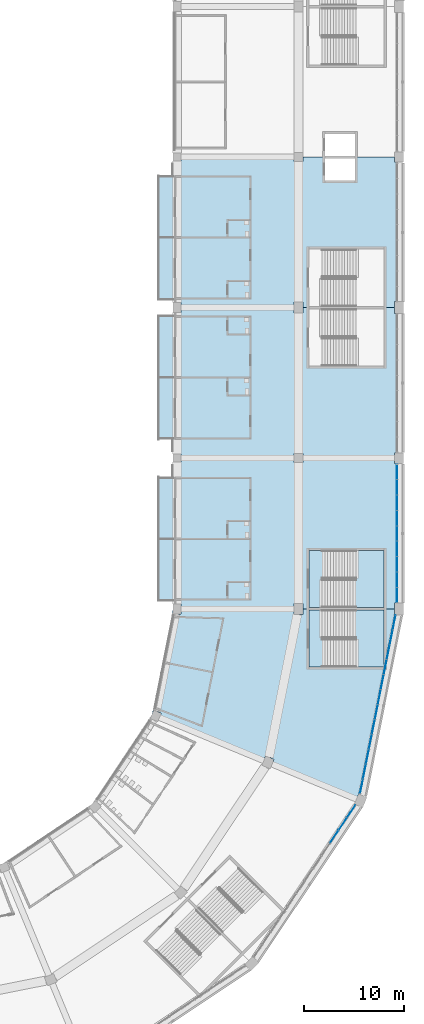
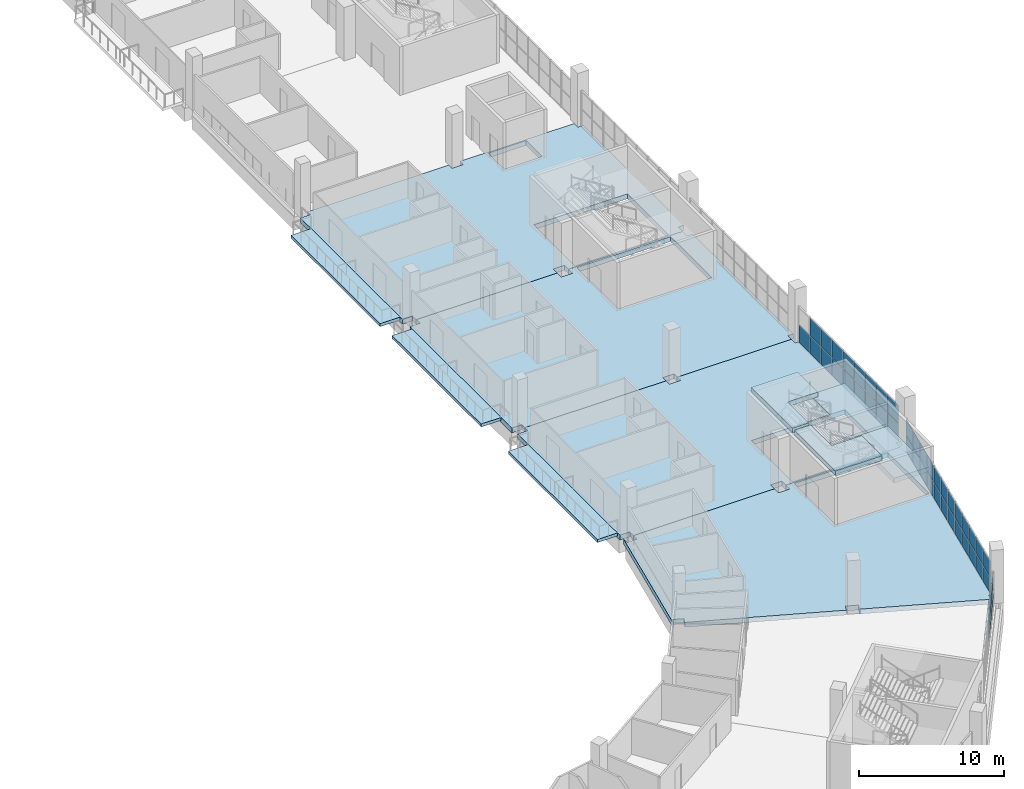
# One storey, part 63 of 199: 47 plates, 11 slabs, 5 elements without a shape of their own.
"""IFC4 building model written with IfcOpenShell, lengths in metres."""

from ifc_helpers import new_model, si_unit, direction, frame, origin, origin_2d, place, context, subcontext, project, spatial, polyline, rectangle, outline, extrude, material, layer, layer_set, type_object, element, aggregate, save


model = new_model("IFC4")

# Units and contexts
model_context = context("Model", 3, precision=1e-05, world=origin(), true_north=direction((0.0, 1.0)))
body_context = subcontext(model_context, "Body", "Model", "MODEL_VIEW")
ifc_project = project(units=[si_unit("LENGTHUNIT", "METRE"), si_unit("AREAUNIT", "SQUARE_METRE"), si_unit("VOLUMEUNIT", "CUBIC_METRE"), si_unit("PLANEANGLEUNIT", "RADIAN"), si_unit("MASSUNIT", "GRAM", prefix="KILO")], contexts=[model_context])

# Site, building, storey
site_placement = place(None, origin())
site = spatial("IfcSite", under=ifc_project, at=site_placement, CompositionType="ELEMENT")
building_placement = place(site_placement, origin())
building = spatial("IfcBuilding", under=site, at=building_placement, Name="Ogive Plaza Stadium", CompositionType="ELEMENT")
storey_placement = place(building_placement, frame((0.0, 0.0, 9.0)))
storey = spatial("IfcBuildingStorey", under=building, at=storey_placement, Name="L02", CompositionType="ELEMENT", Elevation=9.0)

# Slabs
ifc_material_1 = material(Name="Concrete C40/50", Category="concrete")
ifc_layer_1 = layer(ifc_material_1, 0.25)
ifc_layer_set_1 = layer_set([ifc_layer_1], Name="Concrete C40/50")
slab_type_1 = type_object("IfcSlabType", Name="Balcony slab 250", PredefinedType="FLOOR", material=ifc_layer_set_1)
slab_1_placement = place(storey_placement, frame((0.0, 0.0, -0.25)))
element("IfcSlab", 1, at=slab_1_placement, inside=storey, type_object=slab_type_1, Name="Suite terrace slab B05", PredefinedType="FLOOR", context=body_context, shape_type="SweptSolid", body=[
    extrude(outline(polyline([(59.89990234375, -21.675048828125), (61.5, -21.675048828125), (61.5, -9.375), (59.89990234375, -9.375), (59.89990234375, -21.675048828125)])), origin(), (0.0, 0.0, 1.0), 0.25),
])
slab_2_placement = place(storey_placement, frame((0.0, 0.0, -0.25)))
element("IfcSlab", 2, at=slab_2_placement, inside=storey, type_object=slab_type_1, Name="Suite terrace slab B06", PredefinedType="FLOOR", context=body_context, shape_type="SweptSolid", body=[
    extrude(outline(polyline([(59.89990234375, -35.625), (61.5, -35.625), (61.5, -23.324951171875), (59.89990234375, -23.324951171875), (59.89990234375, -35.625)])), origin(), (0.0, 0.0, 1.0), 0.25),
])
slab_3_placement = place(storey_placement, frame((0.0, 0.0, -0.25)))
element("IfcSlab", 3, at=slab_3_placement, inside=storey, type_object=slab_type_1, Name="Suite terrace slab B07", PredefinedType="FLOOR", context=body_context, shape_type="SweptSolid", body=[
    extrude(outline(polyline([(59.89990234375, -51.675048828125), (61.5, -51.675048828125), (61.5, -39.375), (59.89990234375, -39.375), (59.89990234375, -51.675048828125)])), origin(), (0.0, 0.0, 1.0), 0.25),
])

# Curtain wall, plates
ifc_material_2 = material(Name="Bronze-anodised aluminium with laminated glass", Category="aluminium")
curtain_wall_type = type_object("IfcCurtainWallType", Name="Lancet curtain wall", PredefinedType="NOTDEFINED", material=ifc_material_2)
curtain_wall_1_placement = place(storey_placement, origin())
curtain_wall_1 = element("IfcCurtainWall", 4, at=curtain_wall_1_placement, inside=storey, type_object=curtain_wall_type, Name="CURTAIN WALL B07 L02", PredefinedType="NOTDEFINED")
ifc_material_3 = material(Name="Laminated glass", Category="glass")
ifc_layer_2 = layer(ifc_material_3, 0.028076171875)
ifc_layer_set_2 = layer_set([ifc_layer_2], Name="Laminated glass panel 28")
plate_type = type_object("IfcPlateType", Name="Laminated glass panel 28", PredefinedType="CURTAIN_PANEL", material=ifc_layer_set_2)
plate_1_placement = place(storey_placement, frame((83.800048828125, -38.879150390625, 0.0498046875), z_axis=(0.0, 0.0, 1.0), x_axis=(0.0, -1.0, 0.0)))
plate_1 = element("IfcPlate", 5, at=plate_1_placement, type_object=plate_type, Name="CW-B07-L02 panel 1.1", PredefinedType="CURTAIN_PANEL", context=body_context, shape_type="SweptSolid", body=[
    extrude(rectangle(XDim=1.458251953125, YDim=0.028076171875, at=origin_2d()), origin(), (0.0, 0.0, 1.0), 1.469970703125),
])
plate_2_placement = place(storey_placement, frame((83.800048828125, -40.39990234375, 0.0498046875), z_axis=(0.0, 0.0, 1.0), x_axis=(0.0, -1.0, 0.0)))
plate_2 = element("IfcPlate", 6, at=plate_2_placement, type_object=plate_type, Name="CW-B07-L02 panel 2.1", PredefinedType="CURTAIN_PANEL", context=body_context, shape_type="SweptSolid", body=[
    extrude(rectangle(XDim=1.4833984375, YDim=0.028076171875, at=origin_2d()), origin(), (0.0, 0.0, 1.0), 1.469970703125),
])
plate_3_placement = place(storey_placement, frame((83.800048828125, -40.39990234375, 1.56982421875), z_axis=(0.0, 0.0, 1.0), x_axis=(0.0, -1.0, 0.0)))
plate_3 = element("IfcPlate", 7, at=plate_3_placement, type_object=plate_type, Name="CW-B07-L02 panel 2.2", PredefinedType="CURTAIN_PANEL", context=body_context, shape_type="SweptSolid", body=[
    extrude(rectangle(XDim=1.4833984375, YDim=0.028076171875, at=origin_2d()), origin(), (0.0, 0.0, 1.0), 1.469970703125),
])
plate_4_placement = place(storey_placement, frame((83.800048828125, -41.933349609375, 0.0498046875), z_axis=(0.0, 0.0, 1.0), x_axis=(0.0, -1.0, 0.0)))
plate_4 = element("IfcPlate", 8, at=plate_4_placement, type_object=plate_type, Name="CW-B07-L02 panel 3.1", PredefinedType="CURTAIN_PANEL", context=body_context, shape_type="SweptSolid", body=[
    extrude(rectangle(XDim=1.4833984375, YDim=0.028076171875, at=origin_2d()), origin(), (0.0, 0.0, 1.0), 1.469970703125),
])
plate_5_placement = place(storey_placement, frame((83.800048828125, -41.933349609375, 1.56982421875), z_axis=(0.0, 0.0, 1.0), x_axis=(0.0, -1.0, 0.0)))
plate_5 = element("IfcPlate", 9, at=plate_5_placement, type_object=plate_type, Name="CW-B07-L02 panel 3.2", PredefinedType="CURTAIN_PANEL", context=body_context, shape_type="SweptSolid", body=[
    extrude(rectangle(XDim=1.4833984375, YDim=0.028076171875, at=origin_2d()), origin(), (0.0, 0.0, 1.0), 1.469970703125),
])
plate_6_placement = place(storey_placement, frame((83.800048828125, -43.466552734375, 0.0498046875), z_axis=(0.0, 0.0, 1.0), x_axis=(0.0, -1.0, 0.0)))
plate_6 = element("IfcPlate", 10, at=plate_6_placement, type_object=plate_type, Name="CW-B07-L02 panel 4.1", PredefinedType="CURTAIN_PANEL", context=body_context, shape_type="SweptSolid", body=[
    extrude(rectangle(XDim=1.4833984375, YDim=0.028076171875, at=origin_2d()), origin(), (0.0, 0.0, 1.0), 1.469970703125),
])
plate_7_placement = place(storey_placement, frame((83.800048828125, -43.466552734375, 1.56982421875), z_axis=(0.0, 0.0, 1.0), x_axis=(0.0, -1.0, 0.0)))
plate_7 = element("IfcPlate", 11, at=plate_7_placement, type_object=plate_type, Name="CW-B07-L02 panel 4.2", PredefinedType="CURTAIN_PANEL", context=body_context, shape_type="SweptSolid", body=[
    extrude(rectangle(XDim=1.4833984375, YDim=0.028076171875, at=origin_2d()), origin(), (0.0, 0.0, 1.0), 1.469970703125),
])
plate_8_placement = place(storey_placement, frame((83.800048828125, -45.0, 0.0498046875), z_axis=(0.0, 0.0, 1.0), x_axis=(0.0, -1.0, 0.0)))
plate_8 = element("IfcPlate", 12, at=plate_8_placement, type_object=plate_type, Name="CW-B07-L02 panel 5.1", PredefinedType="CURTAIN_PANEL", context=body_context, shape_type="SweptSolid", body=[
    extrude(rectangle(XDim=1.4833984375, YDim=0.028076171875, at=origin_2d()), origin(), (0.0, 0.0, 1.0), 1.469970703125),
])
plate_9_placement = place(storey_placement, frame((83.800048828125, -45.0, 1.56982421875), z_axis=(0.0, 0.0, 1.0), x_axis=(0.0, -1.0, 0.0)))
plate_9 = element("IfcPlate", 13, at=plate_9_placement, type_object=plate_type, Name="CW-B07-L02 panel 5.2", PredefinedType="CURTAIN_PANEL", context=body_context, shape_type="SweptSolid", body=[
    extrude(rectangle(XDim=1.4833984375, YDim=0.028076171875, at=origin_2d()), origin(), (0.0, 0.0, 1.0), 1.469970703125),
])
plate_10_placement = place(storey_placement, frame((83.800048828125, -46.533447265625, 0.0498046875), z_axis=(0.0, 0.0, 1.0), x_axis=(0.0, -1.0, 0.0)))
plate_10 = element("IfcPlate", 14, at=plate_10_placement, type_object=plate_type, Name="CW-B07-L02 panel 6.1", PredefinedType="CURTAIN_PANEL", context=body_context, shape_type="SweptSolid", body=[
    extrude(rectangle(XDim=1.4833984375, YDim=0.028076171875, at=origin_2d()), origin(), (0.0, 0.0, 1.0), 1.469970703125),
])
plate_11_placement = place(storey_placement, frame((83.800048828125, -46.533447265625, 1.56982421875), z_axis=(0.0, 0.0, 1.0), x_axis=(0.0, -1.0, 0.0)))
plate_11 = element("IfcPlate", 15, at=plate_11_placement, type_object=plate_type, Name="CW-B07-L02 panel 6.2", PredefinedType="CURTAIN_PANEL", context=body_context, shape_type="SweptSolid", body=[
    extrude(rectangle(XDim=1.4833984375, YDim=0.028076171875, at=origin_2d()), origin(), (0.0, 0.0, 1.0), 1.469970703125),
])
plate_12_placement = place(storey_placement, frame((83.800048828125, -48.066650390625, 0.0498046875), z_axis=(0.0, 0.0, 1.0), x_axis=(0.0, -1.0, 0.0)))
plate_12 = element("IfcPlate", 16, at=plate_12_placement, type_object=plate_type, Name="CW-B07-L02 panel 7.1", PredefinedType="CURTAIN_PANEL", context=body_context, shape_type="SweptSolid", body=[
    extrude(rectangle(XDim=1.4833984375, YDim=0.028076171875, at=origin_2d()), origin(), (0.0, 0.0, 1.0), 1.469970703125),
])
plate_13_placement = place(storey_placement, frame((83.800048828125, -48.066650390625, 1.56982421875), z_axis=(0.0, 0.0, 1.0), x_axis=(0.0, -1.0, 0.0)))
plate_13 = element("IfcPlate", 17, at=plate_13_placement, type_object=plate_type, Name="CW-B07-L02 panel 7.2", PredefinedType="CURTAIN_PANEL", context=body_context, shape_type="SweptSolid", body=[
    extrude(rectangle(XDim=1.4833984375, YDim=0.028076171875, at=origin_2d()), origin(), (0.0, 0.0, 1.0), 1.469970703125),
])
plate_14_placement = place(storey_placement, frame((83.800048828125, -49.60009765625, 0.0498046875), z_axis=(0.0, 0.0, 1.0), x_axis=(0.0, -1.0, 0.0)))
plate_14 = element("IfcPlate", 18, at=plate_14_placement, type_object=plate_type, Name="CW-B07-L02 panel 8.1", PredefinedType="CURTAIN_PANEL", context=body_context, shape_type="SweptSolid", body=[
    extrude(rectangle(XDim=1.4833984375, YDim=0.028076171875, at=origin_2d()), origin(), (0.0, 0.0, 1.0), 1.469970703125),
])
plate_15_placement = place(storey_placement, frame((83.800048828125, -49.60009765625, 1.56982421875), z_axis=(0.0, 0.0, 1.0), x_axis=(0.0, -1.0, 0.0)))
plate_15 = element("IfcPlate", 19, at=plate_15_placement, type_object=plate_type, Name="CW-B07-L02 panel 8.2", PredefinedType="CURTAIN_PANEL", context=body_context, shape_type="SweptSolid", body=[
    extrude(rectangle(XDim=1.4833984375, YDim=0.028076171875, at=origin_2d()), origin(), (0.0, 0.0, 1.0), 1.469970703125),
])
plate_16_placement = place(storey_placement, frame((83.800048828125, -51.120849609375, 0.0498046875), z_axis=(0.0, 0.0, 1.0), x_axis=(0.0, -1.0, 0.0)))
plate_16 = element("IfcPlate", 20, at=plate_16_placement, type_object=plate_type, Name="CW-B07-L02 panel 9.1", PredefinedType="CURTAIN_PANEL", context=body_context, shape_type="SweptSolid", body=[
    extrude(rectangle(XDim=1.458251953125, YDim=0.028076171875, at=origin_2d()), origin(), (0.0, 0.0, 1.0), 1.469970703125),
])
plate_17_placement = place(storey_placement, frame((83.800048828125, -51.120849609375, 1.56982421875), z_axis=(0.0, 0.0, 1.0), x_axis=(0.0, -1.0, 0.0)))
plate_17 = element("IfcPlate", 21, at=plate_17_placement, type_object=plate_type, Name="CW-B07-L02 panel 9.2", PredefinedType="CURTAIN_PANEL", context=body_context, shape_type="SweptSolid", body=[
    extrude(rectangle(XDim=1.458251953125, YDim=0.028076171875, at=origin_2d()), origin(), (0.0, 0.0, 1.0), 1.469970703125),
])
aggregate(curtain_wall_1, [plate_1, plate_2, plate_3, plate_4, plate_5, plate_6, plate_7, plate_8, plate_9, plate_10, plate_11, plate_12, plate_13, plate_14, plate_15, plate_16, plate_17])

curtain_wall_2_placement = place(storey_placement, origin())
curtain_wall_2 = element("IfcCurtainWall", 22, at=curtain_wall_2_placement, inside=storey, type_object=curtain_wall_type, Name="CURTAIN WALL B08 L02", PredefinedType="NOTDEFINED")
plate_18_placement = place(storey_placement, frame((83.522705078125, -53.874267578125, 0.0498046875), z_axis=(0.0, 0.0, 1.0), x_axis=(-0.195090322016, -0.980785280403, 0.0)))
plate_18 = element("IfcPlate", 23, at=plate_18_placement, type_object=plate_type, Name="CW-B08-L02 panel 1.1", PredefinedType="CURTAIN_PANEL", context=body_context, shape_type="SweptSolid", body=[
    extrude(rectangle(XDim=1.43896484375, YDim=0.028076171875, at=origin_2d()), origin(), (0.0, 0.0, 1.0), 1.320068359375),
])
plate_19_placement = place(storey_placement, frame((83.522705078125, -53.874267578125, 1.419921875), z_axis=(0.0, 0.0, 1.0), x_axis=(-0.195090322016, -0.980785280403, 0.0)))
plate_19 = element("IfcPlate", 24, at=plate_19_placement, type_object=plate_type, Name="CW-B08-L02 panel 1.2", PredefinedType="CURTAIN_PANEL", context=body_context, shape_type="SweptSolid", body=[
    extrude(rectangle(XDim=1.43896484375, YDim=0.028076171875, at=origin_2d()), origin(), (0.0, 0.0, 1.0), 1.320068359375),
])
plate_20_placement = place(storey_placement, frame((83.229736328125, -55.3466796875, 0.0498046875), z_axis=(0.0, 0.0, 1.0), x_axis=(-0.195090322016, -0.980785280403, 0.0)))
plate_20 = element("IfcPlate", 25, at=plate_20_placement, type_object=plate_type, Name="CW-B08-L02 panel 2.1", PredefinedType="CURTAIN_PANEL", context=body_context, shape_type="SweptSolid", body=[
    extrude(rectangle(XDim=1.4638671875, YDim=0.028076171875, at=origin_2d()), origin(), (0.0, 0.0, 1.0), 1.320068359375),
])
plate_21_placement = place(storey_placement, frame((83.229736328125, -55.3466796875, 1.419921875), z_axis=(0.0, 0.0, 1.0), x_axis=(-0.195090322016, -0.980785280403, 0.0)))
plate_21 = element("IfcPlate", 26, at=plate_21_placement, type_object=plate_type, Name="CW-B08-L02 panel 2.2", PredefinedType="CURTAIN_PANEL", context=body_context, shape_type="SweptSolid", body=[
    extrude(rectangle(XDim=1.4638671875, YDim=0.028076171875, at=origin_2d()), origin(), (0.0, 0.0, 1.0), 1.320068359375),
])
plate_22_placement = place(storey_placement, frame((82.9345703125, -56.831298828125, 0.0498046875), z_axis=(0.0, 0.0, 1.0), x_axis=(-0.195090322016, -0.980785280403, 0.0)))
plate_22 = element("IfcPlate", 27, at=plate_22_placement, type_object=plate_type, Name="CW-B08-L02 panel 3.1", PredefinedType="CURTAIN_PANEL", context=body_context, shape_type="SweptSolid", body=[
    extrude(rectangle(XDim=1.4638671875, YDim=0.028076171875, at=origin_2d()), origin(), (0.0, 0.0, 1.0), 1.320068359375),
])
plate_23_placement = place(storey_placement, frame((82.9345703125, -56.831298828125, 1.419921875), z_axis=(0.0, 0.0, 1.0), x_axis=(-0.195090322016, -0.980785280403, 0.0)))
plate_23 = element("IfcPlate", 28, at=plate_23_placement, type_object=plate_type, Name="CW-B08-L02 panel 3.2", PredefinedType="CURTAIN_PANEL", context=body_context, shape_type="SweptSolid", body=[
    extrude(rectangle(XDim=1.4638671875, YDim=0.028076171875, at=origin_2d()), origin(), (0.0, 0.0, 1.0), 1.320068359375),
])
plate_24_placement = place(storey_placement, frame((82.63916015625, -58.316162109375, 0.0498046875), z_axis=(0.0, 0.0, 1.0), x_axis=(-0.195090322016, -0.980785280403, 0.0)))
plate_24 = element("IfcPlate", 29, at=plate_24_placement, type_object=plate_type, Name="CW-B08-L02 panel 4.1", PredefinedType="CURTAIN_PANEL", context=body_context, shape_type="SweptSolid", body=[
    extrude(rectangle(XDim=1.4638671875, YDim=0.028076171875, at=origin_2d()), origin(), (0.0, 0.0, 1.0), 1.320068359375),
])
plate_25_placement = place(storey_placement, frame((82.63916015625, -58.316162109375, 1.419921875), z_axis=(0.0, 0.0, 1.0), x_axis=(-0.195090322016, -0.980785280403, 0.0)))
plate_25 = element("IfcPlate", 30, at=plate_25_placement, type_object=plate_type, Name="CW-B08-L02 panel 4.2", PredefinedType="CURTAIN_PANEL", context=body_context, shape_type="SweptSolid", body=[
    extrude(rectangle(XDim=1.4638671875, YDim=0.028076171875, at=origin_2d()), origin(), (0.0, 0.0, 1.0), 1.320068359375),
])
plate_26_placement = place(storey_placement, frame((82.34375, -59.801025390625, 0.0498046875), z_axis=(0.0, 0.0, 1.0), x_axis=(-0.195090322016, -0.980785280403, 0.0)))
plate_26 = element("IfcPlate", 31, at=plate_26_placement, type_object=plate_type, Name="CW-B08-L02 panel 5.1", PredefinedType="CURTAIN_PANEL", context=body_context, shape_type="SweptSolid", body=[
    extrude(rectangle(XDim=1.4638671875, YDim=0.028076171875, at=origin_2d()), origin(), (0.0, 0.0, 1.0), 1.320068359375),
])
plate_27_placement = place(storey_placement, frame((82.34375, -59.801025390625, 1.419921875), z_axis=(0.0, 0.0, 1.0), x_axis=(-0.195090322016, -0.980785280403, 0.0)))
plate_27 = element("IfcPlate", 32, at=plate_27_placement, type_object=plate_type, Name="CW-B08-L02 panel 5.2", PredefinedType="CURTAIN_PANEL", context=body_context, shape_type="SweptSolid", body=[
    extrude(rectangle(XDim=1.4638671875, YDim=0.028076171875, at=origin_2d()), origin(), (0.0, 0.0, 1.0), 1.320068359375),
])
plate_28_placement = place(storey_placement, frame((82.048583984375, -61.28564453125, 0.0498046875), z_axis=(0.0, 0.0, 1.0), x_axis=(-0.195090322016, -0.980785280403, 0.0)))
plate_28 = element("IfcPlate", 33, at=plate_28_placement, type_object=plate_type, Name="CW-B08-L02 panel 6.1", PredefinedType="CURTAIN_PANEL", context=body_context, shape_type="SweptSolid", body=[
    extrude(rectangle(XDim=1.4638671875, YDim=0.028076171875, at=origin_2d()), origin(), (0.0, 0.0, 1.0), 1.320068359375),
])
plate_29_placement = place(storey_placement, frame((82.048583984375, -61.28564453125, 1.419921875), z_axis=(0.0, 0.0, 1.0), x_axis=(-0.195090322016, -0.980785280403, 0.0)))
plate_29 = element("IfcPlate", 34, at=plate_29_placement, type_object=plate_type, Name="CW-B08-L02 panel 6.2", PredefinedType="CURTAIN_PANEL", context=body_context, shape_type="SweptSolid", body=[
    extrude(rectangle(XDim=1.4638671875, YDim=0.028076171875, at=origin_2d()), origin(), (0.0, 0.0, 1.0), 1.320068359375),
])
plate_30_placement = place(storey_placement, frame((81.753173828125, -62.7705078125, 0.0498046875), z_axis=(0.0, 0.0, 1.0), x_axis=(-0.195090322016, -0.980785280403, 0.0)))
plate_30 = element("IfcPlate", 35, at=plate_30_placement, type_object=plate_type, Name="CW-B08-L02 panel 7.1", PredefinedType="CURTAIN_PANEL", context=body_context, shape_type="SweptSolid", body=[
    extrude(rectangle(XDim=1.4638671875, YDim=0.028076171875, at=origin_2d()), origin(), (0.0, 0.0, 1.0), 1.320068359375),
])
plate_31_placement = place(storey_placement, frame((81.753173828125, -62.7705078125, 1.419921875), z_axis=(0.0, 0.0, 1.0), x_axis=(-0.195090322016, -0.980785280403, 0.0)))
plate_31 = element("IfcPlate", 36, at=plate_31_placement, type_object=plate_type, Name="CW-B08-L02 panel 7.2", PredefinedType="CURTAIN_PANEL", context=body_context, shape_type="SweptSolid", body=[
    extrude(rectangle(XDim=1.4638671875, YDim=0.028076171875, at=origin_2d()), origin(), (0.0, 0.0, 1.0), 1.320068359375),
])
plate_32_placement = place(storey_placement, frame((81.457763671875, -64.255126953125, 0.0498046875), z_axis=(0.0, 0.0, 1.0), x_axis=(-0.195090322016, -0.980785280403, 0.0)))
plate_32 = element("IfcPlate", 37, at=plate_32_placement, type_object=plate_type, Name="CW-B08-L02 panel 8.1", PredefinedType="CURTAIN_PANEL", context=body_context, shape_type="SweptSolid", body=[
    extrude(rectangle(XDim=1.4638671875, YDim=0.028076171875, at=origin_2d()), origin(), (0.0, 0.0, 1.0), 1.320068359375),
])
plate_33_placement = place(storey_placement, frame((81.457763671875, -64.255126953125, 1.419921875), z_axis=(0.0, 0.0, 1.0), x_axis=(-0.195090322016, -0.980785280403, 0.0)))
plate_33 = element("IfcPlate", 38, at=plate_33_placement, type_object=plate_type, Name="CW-B08-L02 panel 8.2", PredefinedType="CURTAIN_PANEL", context=body_context, shape_type="SweptSolid", body=[
    extrude(rectangle(XDim=1.4638671875, YDim=0.028076171875, at=origin_2d()), origin(), (0.0, 0.0, 1.0), 1.320068359375),
])
plate_34_placement = place(storey_placement, frame((81.16259765625, -65.739990234375, 0.0498046875), z_axis=(0.0, 0.0, 1.0), x_axis=(-0.195090322016, -0.980785280403, 0.0)))
plate_34 = element("IfcPlate", 39, at=plate_34_placement, type_object=plate_type, Name="CW-B08-L02 panel 9.1", PredefinedType="CURTAIN_PANEL", context=body_context, shape_type="SweptSolid", body=[
    extrude(rectangle(XDim=1.4638671875, YDim=0.028076171875, at=origin_2d()), origin(), (0.0, 0.0, 1.0), 1.320068359375),
])
plate_35_placement = place(storey_placement, frame((81.16259765625, -65.739990234375, 1.419921875), z_axis=(0.0, 0.0, 1.0), x_axis=(-0.195090322016, -0.980785280403, 0.0)))
plate_35 = element("IfcPlate", 40, at=plate_35_placement, type_object=plate_type, Name="CW-B08-L02 panel 9.2", PredefinedType="CURTAIN_PANEL", context=body_context, shape_type="SweptSolid", body=[
    extrude(rectangle(XDim=1.4638671875, YDim=0.028076171875, at=origin_2d()), origin(), (0.0, 0.0, 1.0), 1.320068359375),
])
plate_36_placement = place(storey_placement, frame((80.8671875, -67.224609375, 0.0498046875), z_axis=(0.0, 0.0, 1.0), x_axis=(-0.195090322016, -0.980785280403, 0.0)))
plate_36 = element("IfcPlate", 41, at=plate_36_placement, type_object=plate_type, Name="CW-B08-L02 panel 10.1", PredefinedType="CURTAIN_PANEL", context=body_context, shape_type="SweptSolid", body=[
    extrude(rectangle(XDim=1.4638671875, YDim=0.028076171875, at=origin_2d()), origin(), (0.0, 0.0, 1.0), 1.320068359375),
])
plate_37_placement = place(storey_placement, frame((80.8671875, -67.224609375, 1.419921875), z_axis=(0.0, 0.0, 1.0), x_axis=(-0.195090322016, -0.980785280403, 0.0)))
plate_37 = element("IfcPlate", 42, at=plate_37_placement, type_object=plate_type, Name="CW-B08-L02 panel 10.2", PredefinedType="CURTAIN_PANEL", context=body_context, shape_type="SweptSolid", body=[
    extrude(rectangle(XDim=1.4638671875, YDim=0.028076171875, at=origin_2d()), origin(), (0.0, 0.0, 1.0), 1.320068359375),
])
plate_38_placement = place(storey_placement, frame((80.57177734375, -68.70947265625, 0.0498046875), z_axis=(0.0, 0.0, 1.0), x_axis=(-0.195090322016, -0.980785280403, 0.0)))
plate_38 = element("IfcPlate", 43, at=plate_38_placement, type_object=plate_type, Name="CW-B08-L02 panel 11.1", PredefinedType="CURTAIN_PANEL", context=body_context, shape_type="SweptSolid", body=[
    extrude(rectangle(XDim=1.4638671875, YDim=0.028076171875, at=origin_2d()), origin(), (0.0, 0.0, 1.0), 1.320068359375),
])
plate_39_placement = place(storey_placement, frame((80.57177734375, -68.70947265625, 1.419921875), z_axis=(0.0, 0.0, 1.0), x_axis=(-0.195090322016, -0.980785280403, 0.0)))
plate_39 = element("IfcPlate", 44, at=plate_39_placement, type_object=plate_type, Name="CW-B08-L02 panel 11.2", PredefinedType="CURTAIN_PANEL", context=body_context, shape_type="SweptSolid", body=[
    extrude(rectangle(XDim=1.4638671875, YDim=0.028076171875, at=origin_2d()), origin(), (0.0, 0.0, 1.0), 1.320068359375),
])
plate_40_placement = place(storey_placement, frame((80.27880859375, -70.181884765625, 0.0498046875), z_axis=(0.0, 0.0, 1.0), x_axis=(-0.195090322016, -0.980785280403, 0.0)))
plate_40 = element("IfcPlate", 45, at=plate_40_placement, type_object=plate_type, Name="CW-B08-L02 panel 12.1", PredefinedType="CURTAIN_PANEL", context=body_context, shape_type="SweptSolid", body=[
    extrude(rectangle(XDim=1.43896484375, YDim=0.028076171875, at=origin_2d()), origin(), (0.0, 0.0, 1.0), 1.320068359375),
])
plate_41_placement = place(storey_placement, frame((80.27880859375, -70.181884765625, 1.419921875), z_axis=(0.0, 0.0, 1.0), x_axis=(-0.195090322016, -0.980785280403, 0.0)))
plate_41 = element("IfcPlate", 46, at=plate_41_placement, type_object=plate_type, Name="CW-B08-L02 panel 12.2", PredefinedType="CURTAIN_PANEL", context=body_context, shape_type="SweptSolid", body=[
    extrude(rectangle(XDim=1.43896484375, YDim=0.028076171875, at=origin_2d()), origin(), (0.0, 0.0, 1.0), 1.320068359375),
])
aggregate(curtain_wall_2, [plate_18, plate_19, plate_20, plate_21, plate_22, plate_23, plate_24, plate_25, plate_26, plate_27, plate_28, plate_29, plate_30, plate_31, plate_32, plate_33, plate_34, plate_35, plate_36, plate_37, plate_38, plate_39, plate_40, plate_41])

curtain_wall_3_placement = place(storey_placement, origin())
curtain_wall_3 = element("IfcCurtainWall", 47, at=curtain_wall_3_placement, inside=storey, type_object=curtain_wall_type, Name="CURTAIN WALL B09 L02", PredefinedType="NOTDEFINED")
plate_42_placement = place(storey_placement, frame((79.253173828125, -72.68212890625, 0.0498046875), z_axis=(0.0, 0.0, 1.0), x_axis=(-0.55557023302, -0.831469612303, 0.0)))
plate_42 = element("IfcPlate", 48, at=plate_42_placement, type_object=plate_type, Name="CW-B09-L02 panel 1.1", PredefinedType="CURTAIN_PANEL", context=body_context, shape_type="SweptSolid", body=[
    extrude(rectangle(XDim=1.447265625, YDim=0.028076171875, at=origin_2d()), origin(), (0.0, 0.0, 1.0), 1.320068359375),
])
plate_43_placement = place(storey_placement, frame((79.253173828125, -72.68212890625, 1.419921875), z_axis=(0.0, 0.0, 1.0), x_axis=(-0.55557023302, -0.831469612303, 0.0)))
plate_43 = element("IfcPlate", 49, at=plate_43_placement, type_object=plate_type, Name="CW-B09-L02 panel 1.2", PredefinedType="CURTAIN_PANEL", context=body_context, shape_type="SweptSolid", body=[
    extrude(rectangle(XDim=1.447265625, YDim=0.028076171875, at=origin_2d()), origin(), (0.0, 0.0, 1.0), 1.320068359375),
])
plate_44_placement = place(storey_placement, frame((78.414306640625, -73.9375, 0.0498046875), z_axis=(0.0, 0.0, 1.0), x_axis=(-0.55557023302, -0.831469612303, 0.0)))
plate_44 = element("IfcPlate", 50, at=plate_44_placement, type_object=plate_type, Name="CW-B09-L02 panel 2.1", PredefinedType="CURTAIN_PANEL", context=body_context, shape_type="SweptSolid", body=[
    extrude(rectangle(XDim=1.472412109375, YDim=0.028076171875, at=origin_2d()), origin(), (0.0, 0.0, 1.0), 1.320068359375),
])
plate_45_placement = place(storey_placement, frame((78.414306640625, -73.9375, 1.419921875), z_axis=(0.0, 0.0, 1.0), x_axis=(-0.55557023302, -0.831469612303, 0.0)))
plate_45 = element("IfcPlate", 51, at=plate_45_placement, type_object=plate_type, Name="CW-B09-L02 panel 2.2", PredefinedType="CURTAIN_PANEL", context=body_context, shape_type="SweptSolid", body=[
    extrude(rectangle(XDim=1.472412109375, YDim=0.028076171875, at=origin_2d()), origin(), (0.0, 0.0, 1.0), 1.320068359375),
])
plate_46_placement = place(storey_placement, frame((77.568603515625, -75.203369140625, 0.0498046875), z_axis=(0.0, 0.0, 1.0), x_axis=(-0.55557023302, -0.831469612303, 0.0)))
plate_46 = element("IfcPlate", 52, at=plate_46_placement, type_object=plate_type, Name="CW-B09-L02 panel 3.1", PredefinedType="CURTAIN_PANEL", context=body_context, shape_type="SweptSolid", body=[
    extrude(rectangle(XDim=1.472412109375, YDim=0.028076171875, at=origin_2d()), origin(), (0.0, 0.0, 1.0), 1.320068359375),
])
plate_47_placement = place(storey_placement, frame((77.568603515625, -75.203369140625, 1.419921875), z_axis=(0.0, 0.0, 1.0), x_axis=(-0.55557023302, -0.831469612303, 0.0)))
plate_47 = element("IfcPlate", 53, at=plate_47_placement, type_object=plate_type, Name="CW-B09-L02 panel 3.2", PredefinedType="CURTAIN_PANEL", context=body_context, shape_type="SweptSolid", body=[
    extrude(rectangle(XDim=1.472412109375, YDim=0.028076171875, at=origin_2d()), origin(), (0.0, 0.0, 1.0), 1.320068359375),
])
aggregate(curtain_wall_3, [plate_42, plate_43, plate_44, plate_45, plate_46, plate_47])

# Slabs
ifc_material_4 = material(Name="Concrete C40/50", Category="concrete")
ifc_layer_3 = layer(ifc_material_4, 0.409912109375)
ifc_layer_set_3 = layer_set([ifc_layer_3], Name="Concrete C40/50")
slab_type_2 = type_object("IfcSlabType", Name="RC floor slab 410", PredefinedType="FLOOR", material=ifc_layer_set_3)
slab_4_placement = place(storey_placement, frame((0.0, 0.0, -0.409912109375)))
element("IfcSlab", 54, at=slab_4_placement, inside=storey, type_object=slab_type_2, Name="Floor slab L02 B05", PredefinedType="FLOOR", context=body_context, shape_type="SweptSolid", body=[
    extrude(outline(polyline([(73.550048828125, -22.5), (73.550048828125, -21.949951171875), (74.449951171875, -21.949951171875), (74.449951171875, -22.5), (83.550048828125, -22.5), (83.550048828125, -21.89990234375), (84.0, -21.89990234375), (84.0, -8.0), (83.550048828125, -8.0), (83.550048828125, -7.5), (74.449951171875, -7.5), (74.449951171875, -7.949951171875), (73.550048828125, -7.949951171875), (73.550048828125, -7.5), (62.300048828125, -7.5), (62.300048828125, -7.89990234375), (61.5, -7.89990234375), (61.5, -22.0), (62.300048828125, -22.0), (62.300048828125, -22.5), (73.550048828125, -22.5)]), holes=[polyline([(75.050048828125, -16.675048828125), (75.050048828125, -22.375), (82.510009765625, -22.375), (82.510009765625, -16.675048828125), (75.050048828125, -16.675048828125)]), polyline([(76.64990234375, -7.625), (76.64990234375, -9.824951171875), (79.64990234375, -9.824951171875), (79.64990234375, -7.625), (76.64990234375, -7.625)])]), origin(), (0.0, 0.0, 1.0), 0.409912109375),
])
slab_5_placement = place(storey_placement, frame((0.0, 0.0, -0.409912109375)))
element("IfcSlab", 55, at=slab_5_placement, inside=storey, type_object=slab_type_2, Name="Floor slab L02 B06", PredefinedType="FLOOR", context=body_context, shape_type="SweptSolid", body=[
    extrude(outline(polyline([(73.550048828125, -37.5), (73.550048828125, -37.050048828125), (74.449951171875, -37.050048828125), (74.449951171875, -37.5), (83.550048828125, -37.5), (83.550048828125, -37.0), (84.0, -37.0), (84.0, -23.10009765625), (83.550048828125, -23.10009765625), (83.550048828125, -22.5), (74.449951171875, -22.5), (74.449951171875, -23.050048828125), (73.550048828125, -23.050048828125), (73.550048828125, -22.5), (62.300048828125, -22.5), (62.300048828125, -23.0), (61.5, -23.0), (61.5, -37.10009765625), (62.300048828125, -37.10009765625), (62.300048828125, -37.5), (73.550048828125, -37.5)]), holes=[polyline([(75.050048828125, -22.625), (75.050048828125, -28.324951171875), (82.510009765625, -28.324951171875), (82.510009765625, -22.625), (75.050048828125, -22.625)])]), origin(), (0.0, 0.0, 1.0), 0.409912109375),
])
slab_6_placement = place(storey_placement, frame((0.0, 0.0, -0.409912109375)))
element("IfcSlab", 56, at=slab_6_placement, inside=storey, type_object=slab_type_2, Name="Floor slab L02 B07", PredefinedType="FLOOR", context=body_context, shape_type="SweptSolid", body=[
    extrude(outline(polyline([(73.550048828125, -52.5), (73.550048828125, -51.949951171875), (74.449951171875, -51.949951171875), (74.449951171875, -52.5), (83.550048828125, -52.5), (83.550048828125, -51.89990234375), (84.0, -51.89990234375), (84.0, -38.0), (83.550048828125, -38.0), (83.550048828125, -37.5), (74.449951171875, -37.5), (74.449951171875, -37.949951171875), (73.550048828125, -37.949951171875), (73.550048828125, -37.5), (62.300048828125, -37.5), (62.300048828125, -37.89990234375), (61.5, -37.89990234375), (61.5, -52.0), (62.300048828125, -52.0), (62.300048828125, -52.5), (73.550048828125, -52.5)]), holes=[polyline([(75.050048828125, -52.375), (82.510009765625, -52.375), (82.510009765625, -46.675048828125), (75.050048828125, -46.675048828125), (75.050048828125, -52.375)])]), origin(), (0.0, 0.0, 1.0), 0.409912109375),
])
slab_7_placement = place(storey_placement, frame((0.0, 0.0, -0.409912109375)))
element("IfcSlab", 57, at=slab_7_placement, inside=storey, type_object=slab_type_2, Name="Floor slab L02 B08", PredefinedType="FLOOR", context=body_context, shape_type="SweptSolid", body=[
    extrude(outline(polyline([(70.53955078125, -67.635009765625), (70.730712890625, -67.173095703125), (71.562255859375, -67.517578125), (71.370849609375, -67.9794921875), (79.7783203125, -71.4619140625), (79.98876953125, -70.953857421875), (80.303466796875, -71.084228515625), (83.880615234375, -53.10009765625), (83.550048828125, -53.10009765625), (83.550048828125, -52.5), (74.449951171875, -52.5), (74.449951171875, -53.050048828125), (73.550048828125, -53.050048828125), (73.550048828125, -52.5), (62.300048828125, -52.5), (62.300048828125, -53.0), (61.5, -53.0), (61.5, -52.5), (59.40673828125, -63.023681640625), (59.578857421875, -62.608154296875), (60.318115234375, -62.914306640625), (60.145751953125, -63.329833984375), (70.53955078125, -67.635009765625)]), holes=[polyline([(75.050048828125, -52.625), (75.050048828125, -58.324951171875), (82.510009765625, -58.324951171875), (82.510009765625, -52.625), (75.050048828125, -52.625)])]), origin(), (0.0, 0.0, 1.0), 0.409912109375),
])

# Stair, slabs
ifc_material_5 = material(Name="Concrete C40/50", Category="concrete")
stair_type = type_object("IfcStairType", Name="Exit stair", PredefinedType="STRAIGHT_RUN_STAIR", material=ifc_material_5)
stair_1_placement = place(storey_placement, origin())
stair_1 = element("IfcStair", 58, at=stair_1_placement, inside=storey, type_object=stair_type, Name="Exit stair ST08A L02 to L03", PredefinedType="STRAIGHT_RUN_STAIR")
ifc_material_6 = material(Name="Concrete C40/50", Category="concrete")
ifc_layer_4 = layer(ifc_material_6, 0.39990234375)
ifc_layer_set_4 = layer_set([ifc_layer_4], Name="Concrete C40/50")
slab_type_3 = type_object("IfcSlabType", Name="Stair landing", PredefinedType="LANDING", material=ifc_layer_set_4)
slab_8_placement = place(storey_placement, frame((0.0, 0.0, 1.85009765625)))
slab_8 = element("IfcSlab", 59, at=slab_8_placement, type_object=slab_type_3, Name="ST08A landing 1", PredefinedType="LANDING", context=body_context, shape_type="SweptSolid", body=[
    extrude(outline(polyline([(82.510009765625, -52.625), (82.510009765625, -58.324951171875), (79.7099609375, -58.324951171875), (79.7099609375, -55.425048828125), (77.31005859375, -55.425048828125), (77.31005859375, -52.625), (79.7099609375, -52.625), (82.510009765625, -52.625)])), origin(), (0.0, 0.0, 1.0), 0.39990234375),
])
slab_9_placement = place(storey_placement, frame((0.0, 0.0, 4.10009765625)))
slab_9 = element("IfcSlab", 60, at=slab_9_placement, type_object=slab_type_3, Name="ST08A landing 2", PredefinedType="LANDING", context=body_context, shape_type="SweptSolid", body=[
    extrude(outline(polyline([(78.75, -55.52490234375), (78.75, -58.324951171875), (76.35009765625, -58.324951171875), (75.050048828125, -58.324951171875), (75.050048828125, -52.625), (76.35009765625, -52.625), (76.35009765625, -55.52490234375), (78.75, -55.52490234375)])), origin(), (0.0, 0.0, 1.0), 0.39990234375),
])
aggregate(stair_1, [slab_8, slab_9])

stair_2_placement = place(storey_placement, origin())
stair_2 = element("IfcStair", 61, at=stair_2_placement, inside=storey, type_object=stair_type, Name="Exit stair ST08B L02 to L03", PredefinedType="STRAIGHT_RUN_STAIR")
slab_10_placement = place(storey_placement, frame((0.0, 0.0, 1.85009765625)))
slab_10 = element("IfcSlab", 62, at=slab_10_placement, type_object=slab_type_3, Name="ST08B landing 1", PredefinedType="LANDING", context=body_context, shape_type="SweptSolid", body=[
    extrude(outline(polyline([(77.31005859375, -52.375), (77.31005859375, -49.574951171875), (79.7099609375, -49.574951171875), (79.7099609375, -46.675048828125), (82.510009765625, -46.675048828125), (82.510009765625, -52.375), (79.7099609375, -52.375), (77.31005859375, -52.375)])), origin(), (0.0, 0.0, 1.0), 0.39990234375),
])
slab_11_placement = place(storey_placement, frame((0.0, 0.0, 4.10009765625)))
slab_11 = element("IfcSlab", 63, at=slab_11_placement, type_object=slab_type_3, Name="ST08B landing 2", PredefinedType="LANDING", context=body_context, shape_type="SweptSolid", body=[
    extrude(outline(polyline([(76.35009765625, -52.375), (75.050048828125, -52.375), (75.050048828125, -46.675048828125), (76.35009765625, -46.675048828125), (78.75, -46.675048828125), (78.75, -49.47509765625), (76.35009765625, -49.47509765625), (76.35009765625, -52.375)])), origin(), (0.0, 0.0, 1.0), 0.39990234375),
])
aggregate(stair_2, [slab_10, slab_11])

save(model, "model.ifc")
